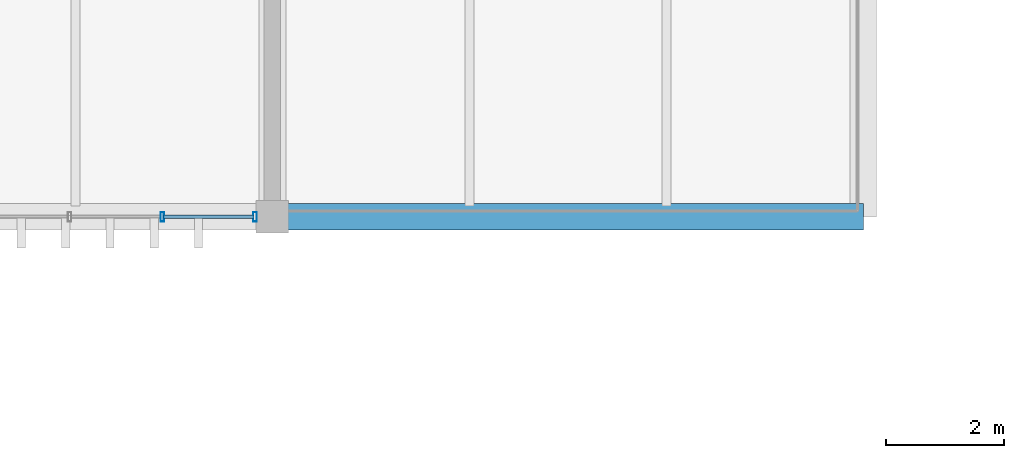
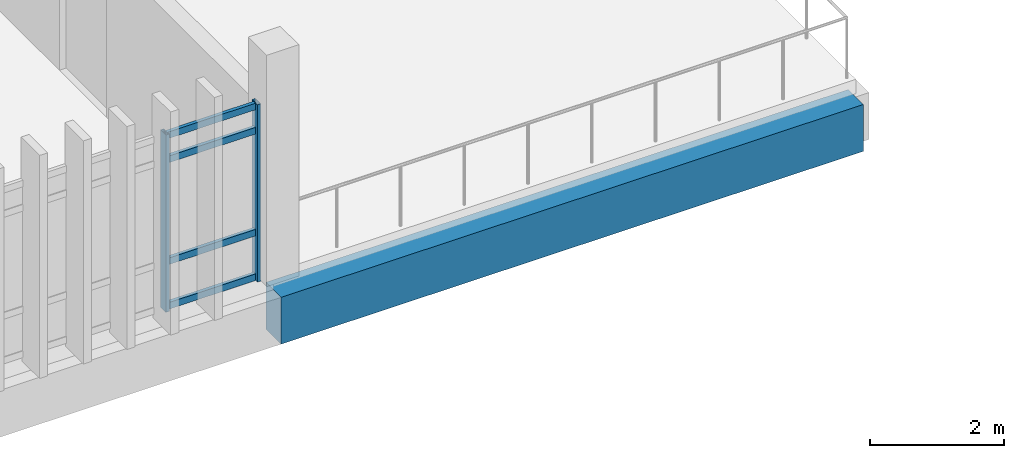
# One storey, part 20 of 29: 6 members, 1 beam, 1 element without a shape of its own.
"""IFC4 building model written with IfcOpenShell, lengths in metres."""

from ifc_helpers import new_model, si_unit, direction, frame, origin, origin_2d, place, context, subcontext, project, spatial, rectangle, hollow_rectangle, extrude, material, layer, layer_set, material_profile, profile_set, type_object, element, aggregate, save


model = new_model("IFC4")

# Units and contexts
model_context = context("Model", 3, precision=1e-05, world=origin(), true_north=direction((0.0, 1.0)))
body_context = subcontext(model_context, "Body", "Model", "MODEL_VIEW")
ifc_project = project(units=[si_unit("LENGTHUNIT", "METRE"), si_unit("AREAUNIT", "SQUARE_METRE"), si_unit("VOLUMEUNIT", "CUBIC_METRE"), si_unit("PLANEANGLEUNIT", "RADIAN"), si_unit("MASSUNIT", "GRAM", prefix="KILO")], contexts=[model_context])

# Site, building, storey
site_placement = place(None, origin())
site = spatial("IfcSite", under=ifc_project, at=site_placement, CompositionType="ELEMENT")
building_placement = place(site_placement, origin())
building = spatial("IfcBuilding", under=site, at=building_placement, Name="Mersad Railyard Sports Hall", CompositionType="ELEMENT")
storey_placement = place(building_placement, frame((0.0, 0.0, 17.39990234375)))
storey = spatial("IfcBuildingStorey", under=building, at=storey_placement, Name="L04", CompositionType="ELEMENT", Elevation=17.39990234375)

# Curtain wall, members
ifc_material_1 = material(Name="Aluminium 6063-T6", Category="aluminium")
ifc_layer = layer(ifc_material_1, 0.159912109375)
ifc_layer_set = layer_set([ifc_layer], Name="Aluminium 6063-T6")
curtain_wall_type = type_object("IfcCurtainWallType", Name="ARC-CW-CW65", PredefinedType="USERDEFINED", material=ifc_layer_set)
curtain_wall_placement = place(storey_placement, origin())
curtain_wall = element("IfcCurtainWall", 1, at=curtain_wall_placement, inside=storey, type_object=curtain_wall_type, Name="Curtain wall CW65-0170", ObjectType="CURTAIN WALL", PredefinedType="USERDEFINED")
ifc_material_profile_1 = material_profile(ifc_material_1, hollow_rectangle(XDim=0.06005859375, YDim=0.159912109375, WallThickness=0.00390625, at=origin_2d()), Name="AL MULLION 60x160x4")
ifc_profile_set_1 = profile_set([ifc_material_profile_1], Name="Aluminium 6063-T6")
member_type_1 = type_object("IfcMemberType", Name="ARC-CW-MUL01", PredefinedType="MULLION", material=ifc_profile_set_1)
member_1_placement = place(storey_placement, frame((120.705078125, 85.0, -0.02001953125), z_axis=(0.0, 0.0, 1.0), x_axis=(1.0, 0.0, 0.0)))
member_1 = element("IfcMember", 2, at=member_1_placement, type_object=member_type_1, Name="CW65 Mullion 1", PredefinedType="MULLION", context=body_context, shape_type="SweptSolid", body=[
    extrude(hollow_rectangle(XDim=0.06005859375, YDim=0.159912109375, WallThickness=0.00390625, at=origin_2d()), origin(), (0.0, 0.0, 1.0), 3.22021484375),
])
member_2_placement = place(storey_placement, frame((119.13671875, 85.0, -0.02001953125), z_axis=(0.0, 0.0, 1.0), x_axis=(1.0, 0.0, 0.0)))
member_2 = element("IfcMember", 3, at=member_2_placement, type_object=member_type_1, Name="CW65 Mullion 2", PredefinedType="MULLION", context=body_context, shape_type="SweptSolid", body=[
    extrude(hollow_rectangle(XDim=0.06005859375, YDim=0.159912109375, WallThickness=0.00390625, at=origin_2d()), origin(), (0.0, 0.0, 1.0), 3.22021484375),
])
ifc_material_profile_2 = material_profile(ifc_material_1, hollow_rectangle(XDim=0.06005859375, YDim=0.1201171875, WallThickness=0.00390625, at=origin_2d()), Name="AL TRANSOM 60x120x4")
ifc_profile_set_2 = profile_set([ifc_material_profile_2], Name="Aluminium 6063-T6")
member_type_2 = type_object("IfcMemberType", Name="ARC-CW-TRN01", PredefinedType="USERDEFINED", material=ifc_profile_set_2)
member_3_placement = place(storey_placement, frame((120.68505859375, 85.0, 0.0400390625), z_axis=(-1.0, 0.0, 0.0), x_axis=(0.0, -1.0, 0.0)))
member_3 = element("IfcMember", 4, at=member_3_placement, type_object=member_type_2, Name="CW65 Transom 1-1", ObjectType="TRANSOM", PredefinedType="USERDEFINED", context=body_context, shape_type="SweptSolid", body=[
    extrude(hollow_rectangle(XDim=0.06005859375, YDim=0.1201171875, WallThickness=0.00390625, at=origin_2d()), origin(), (0.0, 0.0, 1.0), 1.5283203125),
])
member_4_placement = place(storey_placement, frame((120.68505859375, 85.0, 0.85009765625), z_axis=(-1.0, 0.0, 0.0), x_axis=(0.0, -1.0, 0.0)))
member_4 = element("IfcMember", 5, at=member_4_placement, type_object=member_type_2, Name="CW65 Transom 2-1", ObjectType="TRANSOM", PredefinedType="USERDEFINED", context=body_context, shape_type="SweptSolid", body=[
    extrude(hollow_rectangle(XDim=0.06005859375, YDim=0.1201171875, WallThickness=0.00390625, at=origin_2d()), origin(), (0.0, 0.0, 1.0), 1.5283203125),
])
member_5_placement = place(storey_placement, frame((120.68505859375, 85.0, 2.7001953125), z_axis=(-1.0, 0.0, 0.0), x_axis=(0.0, -1.0, 0.0)))
member_5 = element("IfcMember", 6, at=member_5_placement, type_object=member_type_2, Name="CW65 Transom 3-1", ObjectType="TRANSOM", PredefinedType="USERDEFINED", context=body_context, shape_type="SweptSolid", body=[
    extrude(hollow_rectangle(XDim=0.06005859375, YDim=0.1201171875, WallThickness=0.00390625, at=origin_2d()), origin(), (0.0, 0.0, 1.0), 1.5283203125),
])
member_6_placement = place(storey_placement, frame((120.68505859375, 85.0, 3.14013671875), z_axis=(-1.0, 0.0, 0.0), x_axis=(0.0, -1.0, 0.0)))
member_6 = element("IfcMember", 7, at=member_6_placement, type_object=member_type_2, Name="CW65 Transom 4-1", ObjectType="TRANSOM", PredefinedType="USERDEFINED", context=body_context, shape_type="SweptSolid", body=[
    extrude(hollow_rectangle(XDim=0.06005859375, YDim=0.1201171875, WallThickness=0.00390625, at=origin_2d()), origin(), (0.0, 0.0, 1.0), 1.5283203125),
])
aggregate(curtain_wall, [member_1, member_2, member_3, member_4, member_5, member_6])

# Beam
ifc_material_2 = material(Name="Concrete C40/50", Category="concrete")
ifc_material_profile_3 = material_profile(ifc_material_2, rectangle(XDim=0.449951171875, YDim=0.85009765625, at=origin_2d()), Name="RC 450x850")
ifc_profile_set_3 = profile_set([ifc_material_profile_3], Name="Concrete C40/50")
beam_type = type_object("IfcBeamType", Name="STR-BM-B02", PredefinedType="BEAM", material=ifc_profile_set_3)
beam_placement = place(storey_placement, frame((121.0, 85.0, -0.744873046875), z_axis=(1.0, 0.0, 0.0), x_axis=(0.0, 1.0, 0.0)))
element("IfcBeam", 8, at=beam_placement, inside=storey, type_object=beam_type, Name="Beam B02-1320", PredefinedType="BEAM", context=body_context, shape_type="SweptSolid", body=[
    extrude(rectangle(XDim=0.449951171875, YDim=0.85009765625, at=origin_2d()), origin(), (0.0, 0.0, 1.0), 10.0),
])

save(model, "model.ifc")
